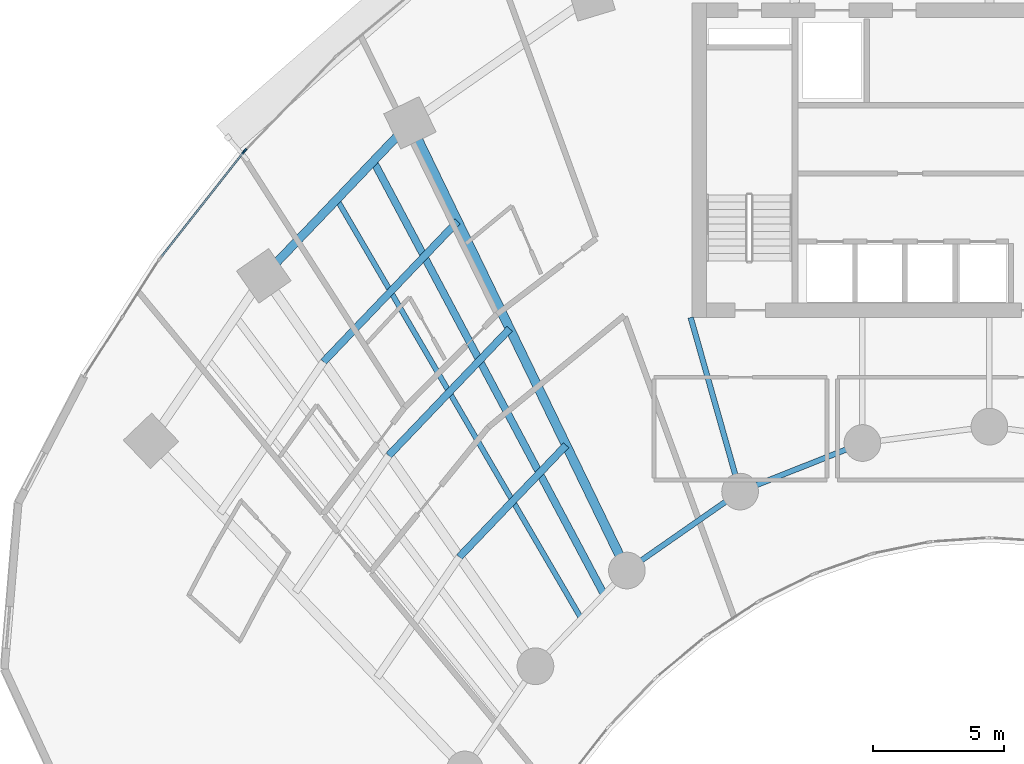
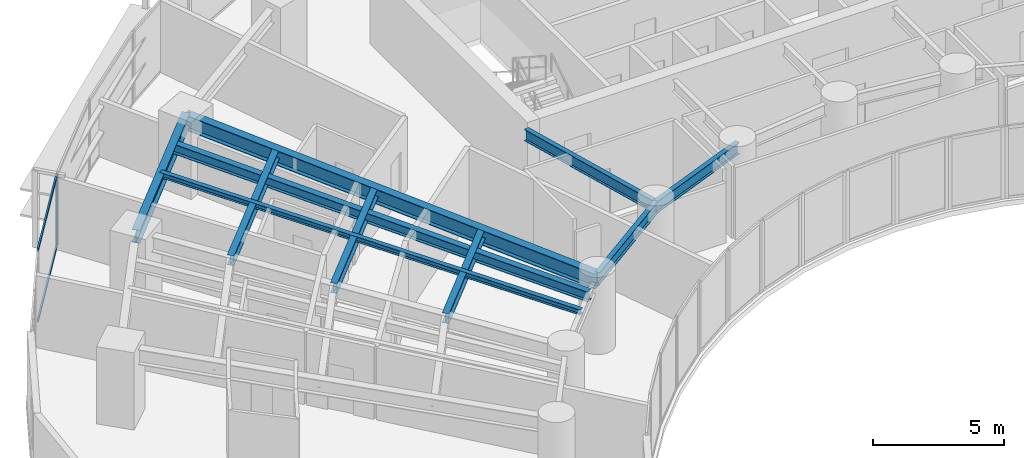
# One storey, part 3 of 17: 10 beams, 4 members, 2 elements without a shape of their own.
"""IFC4 building model written with IfcOpenShell, lengths in metres."""

from ifc_helpers import new_model, si_unit, direction, frame, origin, origin_2d, place, context, subcontext, project, spatial, rectangle, i_section, extrude, source, transform, mapped, material, layer, layer_set, material_profile, profile_set, type_object, type_shapes, element, aggregate, save


model = new_model("IFC4")

# Units and contexts
model_context = context("Model", 3, precision=1e-05, world=origin(), true_north=direction((0.0, 1.0)))
body_context = subcontext(model_context, "Body", "Model", "MODEL_VIEW")
ifc_project = project(units=[si_unit("LENGTHUNIT", "METRE"), si_unit("AREAUNIT", "SQUARE_METRE"), si_unit("VOLUMEUNIT", "CUBIC_METRE"), si_unit("PLANEANGLEUNIT", "RADIAN"), si_unit("MASSUNIT", "GRAM", prefix="KILO")], contexts=[model_context])

# Site, building, storey
site_placement = place(None, origin())
site = spatial("IfcSite", under=ifc_project, at=site_placement, CompositionType="ELEMENT")
building_placement = place(site_placement, origin())
building = spatial("IfcBuilding", under=site, at=building_placement, Name="Breltana Convention Tower", CompositionType="ELEMENT")
storey_placement = place(building_placement, frame((0.0, 0.0, 67.800048828125)))
storey = spatial("IfcBuildingStorey", under=building, at=storey_placement, Name="L15", CompositionType="ELEMENT", Elevation=67.800048828125)

# Beams
ifc_material_1 = material(Name="Steel ASTM A992 Grade 50", Category="steel")
ifc_material_profile_1 = material_profile(ifc_material_1, i_section(OverallWidth=0.323974609375, OverallDepth=0.611083984375, WebThickness=0.0126953125, FlangeThickness=0.01904296875, at=origin_2d()), Name="W24X104")
ifc_profile_set_1 = profile_set([ifc_material_profile_1], Name="Steel ASTM A992 Grade 50")
beam_type_1 = type_object("IfcBeamType", Name="BM-SP-W24X104", PredefinedType="SPANDREL", material=ifc_profile_set_1)
shared_shape_1 = source(origin(), body_context, "Body", "SweptSolid", [
    extrude(i_section(OverallWidth=0.323974609375, OverallDepth=0.611083984375, WebThickness=0.0126953125, FlangeThickness=0.01904296875, at=origin_2d()), origin(), (0.0, 0.0, 1.0), 8.073974609375),
])
beam_1_placement = place(storey_placement, frame((20.310791015625, 61.78857421875, 3.054443359375), z_axis=(0.69072885448, 0.723113856588, 0.0), x_axis=(-0.723113856588, 0.69072885448, 0.0)))
element("IfcBeam", 1, at=beam_1_placement, inside=storey, type_object=beam_type_1, Name="L15 Outer Spandrel Beam 02", PredefinedType="SPANDREL", context=body_context, shape_type="MappedRepresentation", body=[
    mapped(shared_shape_1, transform((0.0, 0.0, 0.0), scale=1.0)),
])
ifc_material_profile_2 = material_profile(ifc_material_1, i_section(OverallWidth=0.35498046875, OverallDepth=0.696044921875, WebThickness=0.015380859375, FlangeThickness=0.02490234375, at=origin_2d()), Name="W27X146")
ifc_profile_set_2 = profile_set([ifc_material_profile_2], Name="Steel ASTM A992 Grade 50")
beam_type_2 = type_object("IfcBeamType", Name="BM-RG-W27X146", PredefinedType="USERDEFINED", material=ifc_profile_set_2)
shared_shape_2 = source(origin(), body_context, "Body", "SweptSolid", [
    extrude(i_section(OverallWidth=0.35498046875, OverallDepth=0.696044921875, WebThickness=0.015380859375, FlangeThickness=0.02490234375, at=origin_2d()), origin(), (0.0, 0.0, 1.0), 18.982421875),
])
beam_2_placement = place(storey_placement, frame((34.166259765625, 50.544921875, 3.011962890625), z_axis=(-0.436118560343, 0.89988921614, 0.0), x_axis=(-0.89988921614, -0.436118560343, 0.0)))
element("IfcBeam", 2, at=beam_2_placement, inside=storey, type_object=beam_type_2, Name="L15 Radial Floor Girder R03", ObjectType="GIRDER", PredefinedType="USERDEFINED", context=body_context, shape_type="MappedRepresentation", body=[
    mapped(shared_shape_2, transform((0.0, 0.0, 0.0), scale=1.0)),
])
ifc_material_profile_3 = material_profile(ifc_material_1, i_section(OverallWidth=0.2099609375, OverallDepth=0.537109375, WebThickness=0.010986328125, FlangeThickness=0.017333984375, at=origin_2d()), Name="W21X68")
ifc_profile_set_3 = profile_set([ifc_material_profile_3], Name="Steel ASTM A992 Grade 50")
beam_type_3 = type_object("IfcBeamType", Name="BM-BM-W21X68", PredefinedType="BEAM", material=ifc_profile_set_3)
shared_shape_3 = source(origin(), body_context, "Body", "SweptSolid", [
    extrude(i_section(OverallWidth=0.2099609375, OverallDepth=0.537109375, WebThickness=0.010986328125, FlangeThickness=0.017333984375, at=origin_2d()), origin(), (0.0, 0.0, 1.0), 6.904541015625),
])
type_shapes(beam_type_3, [shared_shape_3])
beam_3_placement = place(storey_placement, frame((36.60009765625, 60.199951171875, 3.091552734375), z_axis=(0.273006781054, -0.962012108811, 0.0), x_axis=(0.962012108811, 0.273006781054, 0.0)))
element("IfcBeam", 3, at=beam_3_placement, inside=storey, type_object=beam_type_3, Name="L15 South Core Tie Girder R04", PredefinedType="BEAM", context=body_context, shape_type="MappedRepresentation", body=[
    mapped(shared_shape_3, transform((0.0, 0.0, 0.0), scale=1.0)),
])
shared_shape_4 = source(origin(), body_context, "Body", "SweptSolid", [
    extrude(i_section(OverallWidth=0.2099609375, OverallDepth=0.537109375, WebThickness=0.010986328125, FlangeThickness=0.017333984375, at=origin_2d()), origin(), (0.0, 0.0, 1.0), 5.265869140625),
])
beam_4_placement = place(storey_placement, frame((34.166259765625, 50.544921875, 3.091552734375), z_axis=(0.820167429517, 0.572123577176, 0.0), x_axis=(-0.572123577176, 0.820167429517, 0.0)))
element("IfcBeam", 4, at=beam_4_placement, inside=storey, type_object=beam_type_3, Name="L15 Inner Ring Beam 03", PredefinedType="BEAM", context=body_context, shape_type="MappedRepresentation", body=[
    mapped(shared_shape_4, transform((0.0, 0.0, 0.0), scale=1.0)),
])
shared_shape_5 = source(origin(), body_context, "Body", "SweptSolid", [
    extrude(i_section(OverallWidth=0.2099609375, OverallDepth=0.537109375, WebThickness=0.010986328125, FlangeThickness=0.017333984375, at=origin_2d()), origin(), (0.0, 0.0, 1.0), 5.022705078125),
])
beam_5_placement = place(storey_placement, frame((38.485107421875, 53.5576171875, 3.091552734375), z_axis=(0.929458966248, 0.368925507469, 0.0), x_axis=(-0.368925507469, 0.929458966248, 0.0)))
element("IfcBeam", 5, at=beam_5_placement, inside=storey, type_object=beam_type_3, Name="L15 Inner Ring Beam 04", PredefinedType="BEAM", context=body_context, shape_type="MappedRepresentation", body=[
    mapped(shared_shape_5, transform((0.0, 0.0, 0.0), scale=1.0)),
])
ifc_material_profile_4 = material_profile(ifc_material_1, i_section(OverallWidth=0.280029296875, OverallDepth=0.462890625, WebThickness=0.0107421875, FlangeThickness=0.017333984375, at=origin_2d()), Name="W18X76")
ifc_profile_set_4 = profile_set([ifc_material_profile_4], Name="Steel ASTM A992 Grade 50")
beam_type_4 = type_object("IfcBeamType", Name="BM-JSG-06", PredefinedType="JOIST", material=ifc_profile_set_4)
shared_shape_6 = source(origin(), body_context, "Body", "SweptSolid", [
    extrude(i_section(OverallWidth=0.280029296875, OverallDepth=0.462890625, WebThickness=0.0107421875, FlangeThickness=0.017333984375, at=origin_2d()), origin(), (0.0, 0.0, 1.0), 5.8974609375),
])
beam_6_placement = place(storey_placement, frame((27.774658203125, 51.063232421875, 3.12841796875), z_axis=(0.690713978666, 0.723128065888, 0.0), x_axis=(-0.723128065888, 0.690713978666, 0.0)))
element("IfcBeam", 6, at=beam_6_placement, inside=storey, type_object=beam_type_4, Name="L15 Composite Floor Joist 02.1", PredefinedType="JOIST", context=body_context, shape_type="MappedRepresentation", body=[
    mapped(shared_shape_6, transform((0.0, 0.0, 0.0), scale=1.0)),
])
shared_shape_7 = source(origin(), body_context, "Body", "SweptSolid", [
    extrude(i_section(OverallWidth=0.280029296875, OverallDepth=0.462890625, WebThickness=0.0107421875, FlangeThickness=0.017333984375, at=origin_2d()), origin(), (0.0, 0.0, 1.0), 6.68359375),
])
beam_7_placement = place(storey_placement, frame((25.079345703125, 54.936279296875, 3.12841796875), z_axis=(0.690720705885, 0.723121640156, 0.0), x_axis=(-0.723121640156, 0.690720705885, 0.0)))
element("IfcBeam", 7, at=beam_7_placement, inside=storey, type_object=beam_type_4, Name="L15 Composite Floor Joist 02.2", PredefinedType="JOIST", context=body_context, shape_type="MappedRepresentation", body=[
    mapped(shared_shape_7, transform((0.0, 0.0, 0.0), scale=1.0)),
])
shared_shape_8 = source(origin(), body_context, "Body", "SweptSolid", [
    extrude(i_section(OverallWidth=0.280029296875, OverallDepth=0.462890625, WebThickness=0.0107421875, FlangeThickness=0.017333984375, at=origin_2d()), origin(), (0.0, 0.0, 1.0), 7.40869140625),
])
beam_8_placement = place(storey_placement, frame((22.591552734375, 58.511474609375, 3.12841796875), z_axis=(0.690724936208, 0.723117599358, 0.0), x_axis=(-0.723117599358, 0.690724936208, 0.0)))
element("IfcBeam", 8, at=beam_8_placement, inside=storey, type_object=beam_type_4, Name="L15 Composite Floor Joist 02.3", PredefinedType="JOIST", context=body_context, shape_type="MappedRepresentation", body=[
    mapped(shared_shape_8, transform((0.0, 0.0, 0.0), scale=1.0)),
])
ifc_material_profile_5 = material_profile(ifc_material_1, i_section(OverallWidth=0.201904296875, OverallDepth=0.2470703125, WebThickness=0.00732421875, FlangeThickness=0.010986328125, at=origin_2d()), Name="W10X33")
ifc_profile_set_5 = profile_set([ifc_material_profile_5], Name="Steel ASTM A992 Grade 50")
beam_type_5 = type_object("IfcBeamType", Name="BM-JSG-11", PredefinedType="JOIST", material=ifc_profile_set_5)
shared_shape_9 = source(origin(), body_context, "Body", "SweptSolid", [
    extrude(i_section(OverallWidth=0.201904296875, OverallDepth=0.2470703125, WebThickness=0.00732421875, FlangeThickness=0.010986328125, at=origin_2d()), origin(), (0.0, 0.0, 1.0), 18.50830078125),
])
beam_9_placement = place(storey_placement, frame((32.421630859375, 48.71875, 3.236572265625), z_axis=(-0.50368319637, 0.863888440537, 0.0), x_axis=(-0.863888440537, -0.50368319637, 0.0)))
element("IfcBeam", 9, at=beam_9_placement, inside=storey, type_object=beam_type_5, Name="L15 Mid-Bay Radial Trimmer 02", PredefinedType="JOIST", context=body_context, shape_type="MappedRepresentation", body=[
    mapped(shared_shape_9, transform((0.0, 0.0, 0.0), scale=1.0)),
])
shared_shape_10 = source(origin(), body_context, "Body", "SweptSolid", [
    extrude(i_section(OverallWidth=0.280029296875, OverallDepth=0.462890625, WebThickness=0.0107421875, FlangeThickness=0.017333984375, at=origin_2d()), origin(), (0.0, 0.0, 1.0), 18.731689453125),
])
beam_10_placement = place(storey_placement, frame((33.2939453125, 49.6318359375, 3.12841796875), z_axis=(-0.469820250451, 0.882762104004, 0.0), x_axis=(-0.882762104004, -0.469820250451, 0.0)))
element("IfcBeam", 10, at=beam_10_placement, inside=storey, type_object=beam_type_4, Name="L15 Quarter-Bay Radial Trimmer 02", PredefinedType="JOIST", context=body_context, shape_type="MappedRepresentation", body=[
    mapped(shared_shape_10, transform((0.0, 0.0, 0.0), scale=1.0)),
])

# Curtain wall, members
ifc_material_2 = material(Name="Aluminium Anodised Bronze Frame", Category="aluminium")
ifc_layer = layer(ifc_material_2, 0.199951171875, Name="Aluminium Anodised Bronze Frame")
ifc_layer_set = layer_set([ifc_layer], Name="Aluminium Anodised Bronze Frame")
curtain_wall_type = type_object("IfcCurtainWallType", Name="CW-SYS-2", PredefinedType="NOTDEFINED", material=ifc_layer_set)
curtain_wall_1_placement = place(storey_placement, origin())
curtain_wall_1 = element("IfcCurtainWall", 11, at=curtain_wall_1_placement, inside=storey, type_object=curtain_wall_type, Name="L15 outer double-skin inner glazing 2", PredefinedType="NOTDEFINED")
ifc_material_3 = material(Name="Aluminium Anodised Bronze", Category="aluminium")
ifc_material_profile_6 = material_profile(ifc_material_3, rectangle(XDim=0.070068359375, YDim=0.1201171875, at=origin_2d()), Name="CWT-70X120")
ifc_profile_set_6 = profile_set([ifc_material_profile_6], Name="Aluminium Anodised Bronze")
member_type_1 = type_object("IfcMemberType", Name="CWT-120", PredefinedType="USERDEFINED", material=ifc_profile_set_6)
shared_shape_11 = source(origin(), body_context, "Body", "SweptSolid", [
    extrude(rectangle(XDim=0.070068359375, YDim=0.1201171875, at=origin_2d()), origin(), (0.0, 0.0, 1.0), 5.0546875),
])
member_1_placement = place(storey_placement, frame((16.39892578125, 62.51806640625, 0.034912109375), z_axis=(0.618135067667, 0.786071903913, 0.0), x_axis=(-0.786071903913, 0.618135067667, 0.0)))
member_1 = element("IfcMember", 12, at=member_1_placement, type_object=member_type_1, Name="CW-02 transom 1.1", ObjectType="TRANSOM", PredefinedType="USERDEFINED", context=body_context, shape_type="MappedRepresentation", body=[
    mapped(shared_shape_11, transform((0.0, 0.0, 0.0), scale=1.0)),
])
member_2_placement = place(storey_placement, frame((16.39892578125, 62.51806640625, 3.324951171875), z_axis=(0.618135067667, 0.786071903913, 0.0), x_axis=(-0.786071903913, 0.618135067667, 0.0)))
member_2 = element("IfcMember", 13, at=member_2_placement, type_object=member_type_1, Name="CW-02 transom 1.2", ObjectType="TRANSOM", PredefinedType="USERDEFINED", context=body_context, shape_type="MappedRepresentation", body=[
    mapped(shared_shape_11, transform((0.0, 0.0, 0.0), scale=1.0)),
])
ifc_material_profile_7 = material_profile(ifc_material_3, rectangle(XDim=0.070068359375, YDim=0.175048828125, at=origin_2d()), Name="CWM-70X175")
ifc_profile_set_7 = profile_set([ifc_material_profile_7], Name="Aluminium Anodised Bronze")
member_type_2 = type_object("IfcMemberType", Name="CWM-175", PredefinedType="MULLION", material=ifc_profile_set_7)
shared_shape_12 = source(origin(), body_context, "Body", "SweptSolid", [
    extrude(rectangle(XDim=0.070068359375, YDim=0.175048828125, at=origin_2d()), origin(), (0.0, 0.0, 1.0), 3.35986328125),
])
member_3_placement = place(storey_placement, frame((19.545166015625, 66.518798828125, 0.0), z_axis=(0.0, 0.0, 1.0), x_axis=(-0.786057080698, 0.618153917633, 0.0)))
member_3 = element("IfcMember", 14, at=member_3_placement, type_object=member_type_2, Name="CW-02 mullion 2", PredefinedType="MULLION", context=body_context, shape_type="MappedRepresentation", body=[
    mapped(shared_shape_12, transform((0.0, 0.0, 0.0), scale=1.0)),
])
aggregate(curtain_wall_1, [member_3, member_1, member_2])

# Curtain wall, member
curtain_wall_2_placement = place(storey_placement, origin())
curtain_wall_2 = element("IfcCurtainWall", 15, at=curtain_wall_2_placement, inside=storey, type_object=curtain_wall_type, Name="L15 outer double-skin inner glazing 3", PredefinedType="NOTDEFINED")
member_4_placement = place(storey_placement, frame((19.591064453125, 66.571533203125, 0.0), z_axis=(0.0, 0.0, 1.0), x_axis=(-0.719386421003, 0.694610090106, 0.0)))
member_4 = element("IfcMember", 16, at=member_4_placement, type_object=member_type_2, Name="CW-02 mullion 1", PredefinedType="MULLION", context=body_context, shape_type="MappedRepresentation", body=[
    mapped(shared_shape_12, transform((0.0, 0.0, 0.0), scale=1.0)),
])
aggregate(curtain_wall_2, [member_4])

save(model, "model.ifc")
